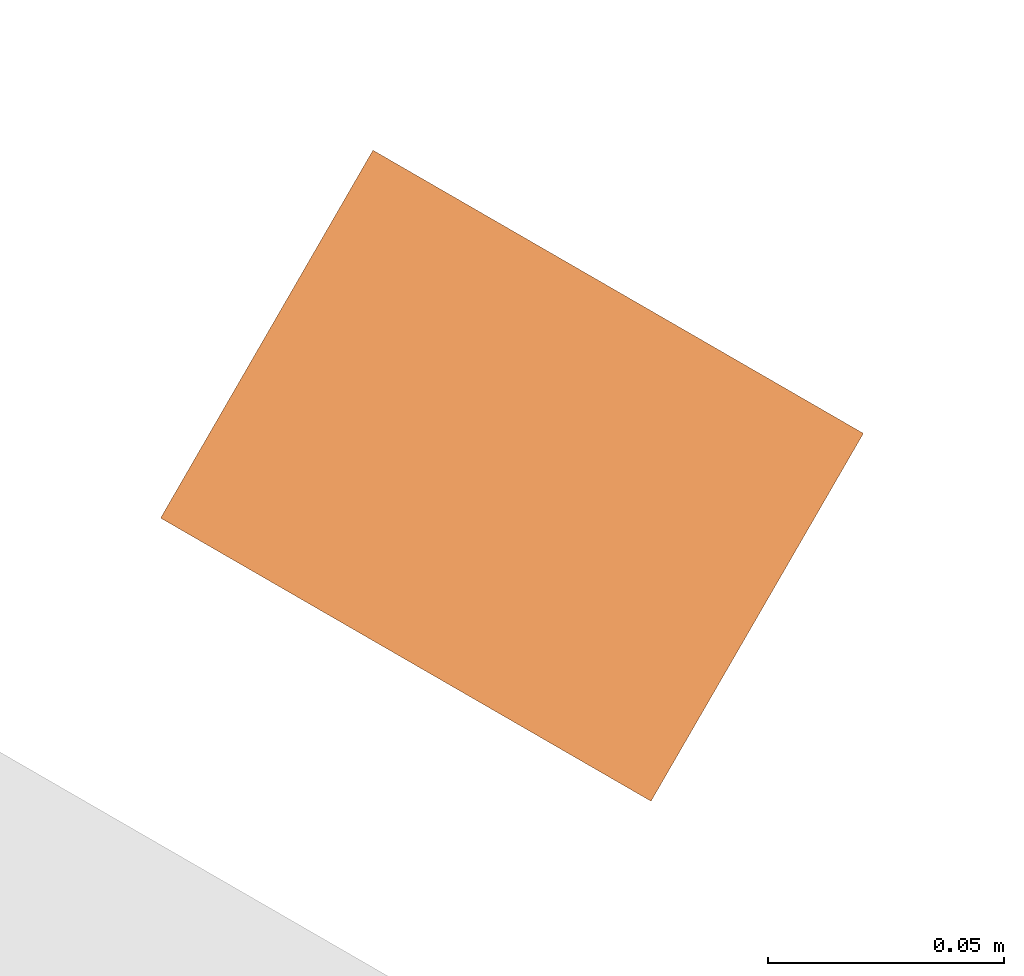
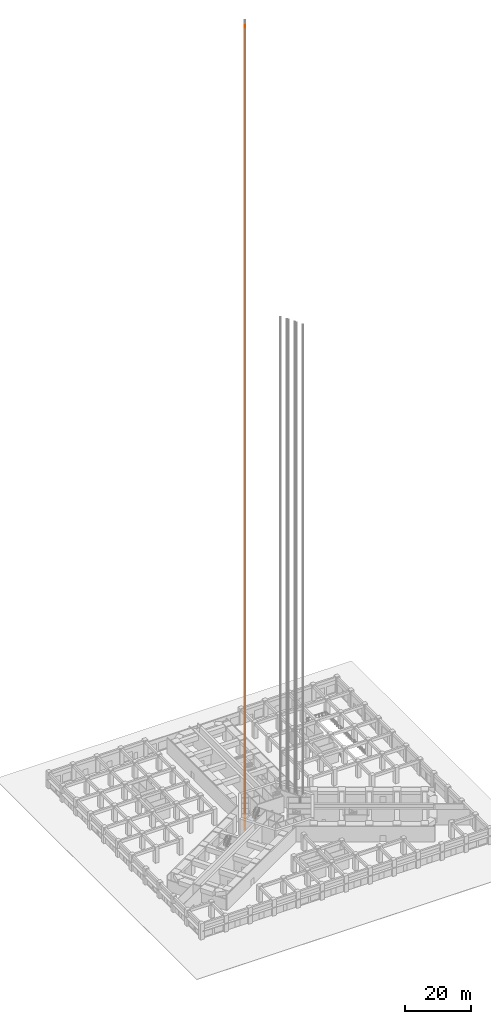
# One storey, part 25 of 33: 1 proxy.
"""IFC4 building model written with IfcOpenShell, lengths in metres."""

from ifc_helpers import new_model, si_unit, direction, frame, origin, origin_2d, place, context, subcontext, project, spatial, rectangle, extrude, material, type_object, element, save


model = new_model("IFC4")

# Units and contexts
model_context = context("Model", 3, precision=1e-05, world=origin(), true_north=direction((0.0, 1.0)))
body_context = subcontext(model_context, "Body", "Model", "MODEL_VIEW")
ifc_project = project(units=[si_unit("LENGTHUNIT", "METRE"), si_unit("AREAUNIT", "SQUARE_METRE"), si_unit("VOLUMEUNIT", "CUBIC_METRE"), si_unit("PLANEANGLEUNIT", "RADIAN"), si_unit("MASSUNIT", "GRAM", prefix="KILO")], contexts=[model_context])

# Site, building, storey
site_placement = place(None, origin())
site = spatial("IfcSite", under=ifc_project, at=site_placement, CompositionType="ELEMENT")
building_placement = place(site_placement, origin())
building = spatial("IfcBuilding", under=site, at=building_placement, Name="Impinga Residences", CompositionType="ELEMENT")
storey_placement = place(building_placement, origin())
storey = spatial("IfcBuildingStorey", under=building, at=storey_placement, Name="L00", CompositionType="ELEMENT", Elevation=0.0)

# Proxy
ifc_material = material(Name="Steel lift guide rail, galvanised", Category="steel")
building_element_proxy_type = type_object("IfcBuildingElementProxyType", Name="LGR lift guide rail", PredefinedType="USERDEFINED", material=ifc_material)
proxy_placement = place(storey_placement, frame((-7.572265625, 5.647705078125, -3.5), z_axis=(0.0, 0.0, 1.0), x_axis=(-0.5, -0.866025403784, 0.0)))
element("IfcBuildingElementProxy", 1, at=proxy_placement, inside=storey, type_object=building_element_proxy_type, Name="Guide rail P8 1", ObjectType="Lift guide rail", PredefinedType="USERDEFINED", context=body_context, shape_type="SweptSolid", body=[
    extrude(rectangle(XDim=0.090087890625, YDim=0.1201171875, at=origin_2d()), origin(), (0.0, 0.0, 1.0), 297.449951171875),
])

save(model, "model.ifc")
